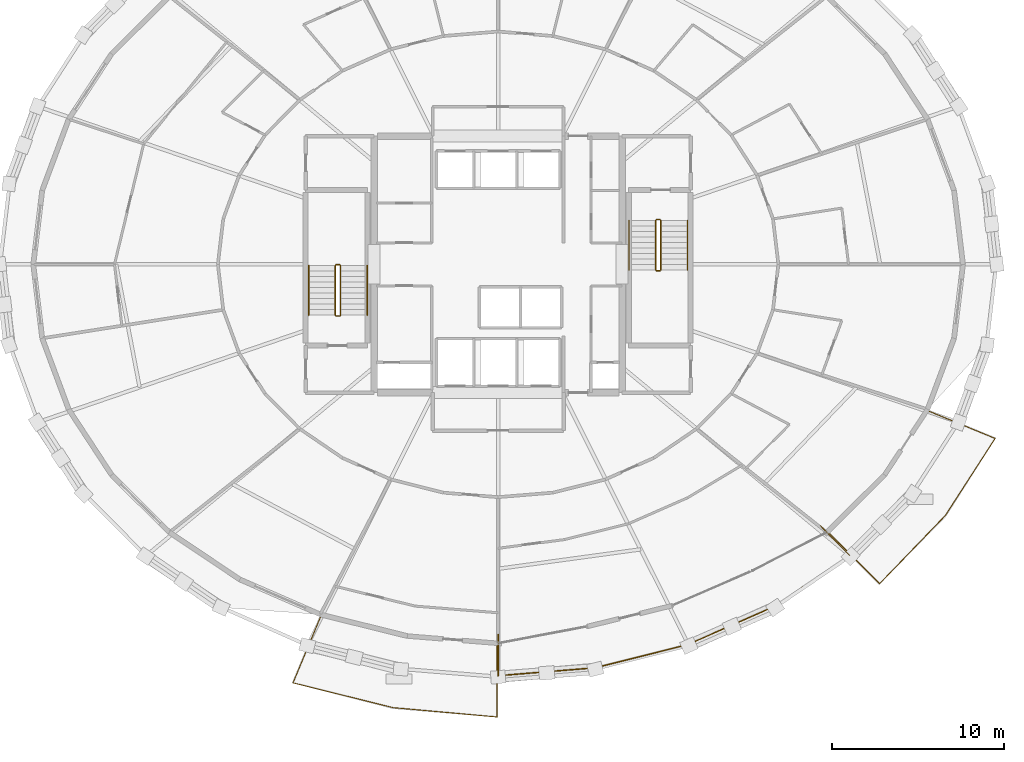
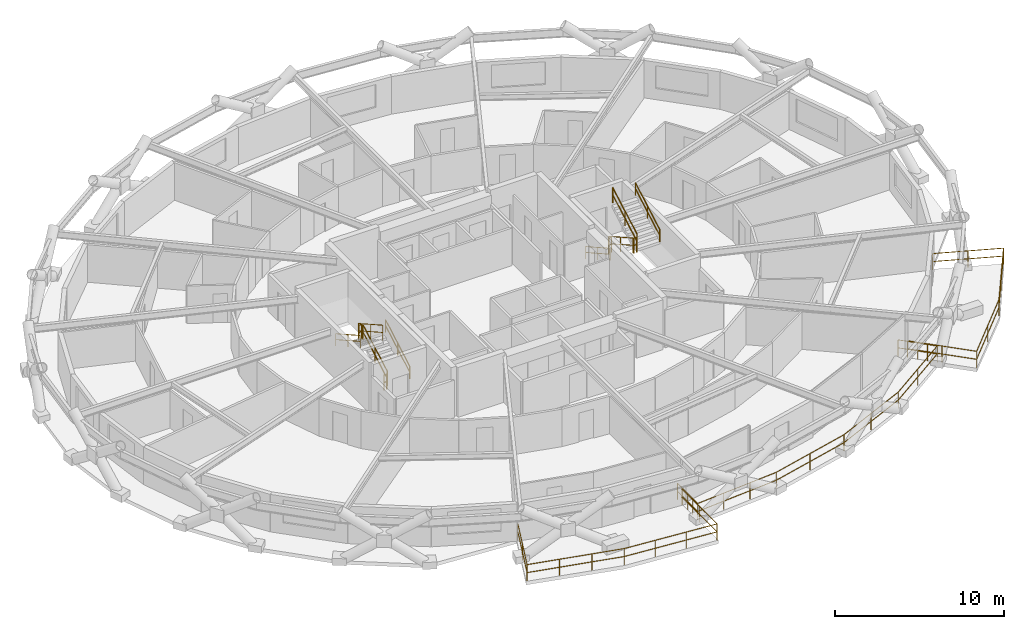
# One storey, part 14 of 14: 17 railings.
"""IFC4 building model written with IfcOpenShell, lengths in metres."""

from ifc_helpers import new_model, si_unit, direction, frame, origin, origin_2d, place, context, subcontext, project, spatial, circle, extrude, material, type_object, element, save


model = new_model("IFC4")

# Units and contexts
model_context = context("Model", 3, precision=1e-05, world=origin(), true_north=direction((0.0, 1.0)))
body_context = subcontext(model_context, "Body", "Model", "MODEL_VIEW")
ifc_project = project(units=[si_unit("LENGTHUNIT", "METRE"), si_unit("AREAUNIT", "SQUARE_METRE"), si_unit("VOLUMEUNIT", "CUBIC_METRE"), si_unit("PLANEANGLEUNIT", "RADIAN"), si_unit("MASSUNIT", "GRAM", prefix="KILO")], contexts=[model_context])

# Site, building, storey
site_placement = place(None, origin())
site = spatial("IfcSite", under=ifc_project, at=site_placement, CompositionType="ELEMENT")
building_placement = place(site_placement, origin())
building = spatial("IfcBuilding", under=site, at=building_placement, Name="Veldorina Hangang Commons", CompositionType="ELEMENT")
storey_placement = place(building_placement, frame((0.0, 0.0, 88.0)))
storey = spatial("IfcBuildingStorey", under=building, at=storey_placement, Name="L22", CompositionType="ELEMENT", Elevation=88.0)

# Railings
ifc_material_1 = material(Name="Glass Laminated Safety Balustrade", Category="glass")
railing_type_1 = type_object("IfcRailingType", Name="RL-BAL-LOGGIA", PredefinedType="BALUSTRADE", material=ifc_material_1)
railing_1_placement = place(storey_placement, frame((32.0, 2.513916015625, 0.0)))
element("IfcRailing", 1, at=railing_1_placement, inside=storey, type_object=railing_type_1, Name="L22 sky-garden loggia end balustrade A", PredefinedType="BALUSTRADE", context=body_context, shape_type="SweptSolid", body=[
    extrude(circle(Radius=0.02392578125, at=origin_2d()), frame((0.0, 0.0, 1.17578125), z_axis=(0.0, -1.0, 0.0), x_axis=(1.0, 0.0, 0.0)), (0.0, 0.0, 1.0), 2.400146484375),
    extrude(circle(Radius=0.02392578125, at=origin_2d()), frame((0.0, 0.0, 0.60009765625), z_axis=(0.0, -1.0, 0.0), x_axis=(1.0, 0.0, 0.0)), (0.0, 0.0, 1.0), 2.400146484375),
    extrude(circle(Radius=0.02099609375, at=origin_2d()), origin(), (0.0, 0.0, 1.0), 1.15185546875),
    extrude(circle(Radius=0.02099609375, at=origin_2d()), frame((0.0, -0.60009765625, 0.0)), (0.0, 0.0, 1.0), 1.15185546875),
    extrude(circle(Radius=0.02099609375, at=origin_2d()), frame((0.0, -1.2001953125, 0.0)), (0.0, 0.0, 1.0), 1.15185546875),
    extrude(circle(Radius=0.02099609375, at=origin_2d()), frame((0.0, -1.800048828125, 0.0)), (0.0, 0.0, 1.0), 1.15185546875),
    extrude(circle(Radius=0.02099609375, at=origin_2d()), frame((0.0, -2.400146484375, 0.0)), (0.0, 0.0, 1.0), 1.15185546875),
])
railing_2_placement = place(storey_placement, frame((50.72119140625, 8.81005859375, 0.0)))
element("IfcRailing", 2, at=railing_2_placement, inside=storey, type_object=railing_type_1, Name="L22 sky-garden loggia end balustrade B", PredefinedType="BALUSTRADE", context=body_context, shape_type="SweptSolid", body=[
    extrude(circle(Radius=0.02392578125, at=origin_2d()), frame((0.0, 0.0, 1.17578125), z_axis=(0.703640633687, -0.71055602075, 0.0), x_axis=(0.71055602075, 0.703640633687, 0.0)), (0.0, 0.0, 1.0), 2.400634765625),
    extrude(circle(Radius=0.02392578125, at=origin_2d()), frame((0.0, 0.0, 0.60009765625), z_axis=(0.703640633687, -0.71055602075, 0.0), x_axis=(0.71055602075, 0.703640633687, 0.0)), (0.0, 0.0, 1.0), 2.400634765625),
    extrude(circle(Radius=0.02099609375, at=origin_2d()), origin(), (0.0, 0.0, 1.0), 1.15185546875),
    extrude(circle(Radius=0.02099609375, at=origin_2d()), frame((0.42236328125, -0.426513671875, 0.0)), (0.0, 0.0, 1.0), 1.15185546875),
    extrude(circle(Radius=0.02099609375, at=origin_2d()), frame((0.8447265625, -0.85302734375, 0.0)), (0.0, 0.0, 1.0), 1.15185546875),
    extrude(circle(Radius=0.02099609375, at=origin_2d()), frame((1.266845703125, -1.279296875, 0.0)), (0.0, 0.0, 1.0), 1.15185546875),
    extrude(circle(Radius=0.02099609375, at=origin_2d()), frame((1.689208984375, -1.705810546875, 0.0)), (0.0, 0.0, 1.0), 1.15185546875),
])
railing_3_placement = place(storey_placement, frame((32.0, 0.11376953125, 0.0)))
element("IfcRailing", 3, at=railing_3_placement, inside=storey, type_object=railing_type_1, Name="L22 sky-garden loggia outer balustrade", PredefinedType="BALUSTRADE", context=body_context, shape_type="SweptSolid", body=[
    extrude(circle(Radius=0.02392578125, at=origin_2d()), frame((0.0, 0.0, 1.17578125), z_axis=(0.996703117926, 0.081135040001, 0.0), x_axis=(-0.081135040001, 0.996703117926, 0.0)), (0.0, 0.0, 1.0), 5.64794921875),
    extrude(circle(Radius=0.02392578125, at=origin_2d()), frame((0.0, 0.0, 0.60009765625), z_axis=(0.996703117926, 0.081135040001, 0.0), x_axis=(-0.081135040001, 0.996703117926, 0.0)), (0.0, 0.0, 1.0), 5.64794921875),
    extrude(circle(Radius=0.02392578125, at=origin_2d()), frame((5.62939453125, 0.458251953125, 1.17578125), z_axis=(0.969967289701, 0.243235394031, 0.0), x_axis=(-0.243235394031, 0.969967289701, 0.0)), (0.0, 0.0, 1.0), 5.581787109375),
    extrude(circle(Radius=0.02392578125, at=origin_2d()), frame((5.62939453125, 0.458251953125, 0.60009765625), z_axis=(0.969967289701, 0.243235394031, 0.0), x_axis=(-0.243235394031, 0.969967289701, 0.0)), (0.0, 0.0, 1.0), 5.581787109375),
    extrude(circle(Radius=0.02392578125, at=origin_2d()), frame((11.04345703125, 1.81591796875, 1.17578125), z_axis=(0.914685834753, 0.404165589459, 0.0), x_axis=(-0.404165589459, 0.914685834753, 0.0)), (0.0, 0.0, 1.0), 5.45654296875),
    extrude(circle(Radius=0.02392578125, at=origin_2d()), frame((11.04345703125, 1.81591796875, 0.60009765625), z_axis=(0.914685834753, 0.404165589459, 0.0), x_axis=(-0.404165589459, 0.914685834753, 0.0)), (0.0, 0.0, 1.0), 5.45654296875),
    extrude(circle(Radius=0.02392578125, at=origin_2d()), frame((16.034423828125, 4.021240234375, 1.17578125), z_axis=(0.827491095768, 0.561478838804, 0.0), x_axis=(-0.561478838804, 0.827491095768, 0.0)), (0.0, 0.0, 1.0), 5.288330078125),
    extrude(circle(Radius=0.02392578125, at=origin_2d()), frame((16.034423828125, 4.021240234375, 0.60009765625), z_axis=(0.827491095768, 0.561478838804, 0.0), x_axis=(-0.561478838804, 0.827491095768, 0.0)), (0.0, 0.0, 1.0), 5.288330078125),
    extrude(circle(Radius=0.02099609375, at=origin_2d()), origin(), (0.0, 0.0, 1.0), 1.15185546875),
    extrude(circle(Radius=0.02099609375, at=origin_2d()), frame((1.87646484375, 0.15283203125, 0.0)), (0.0, 0.0, 1.0), 1.15185546875),
    extrude(circle(Radius=0.02099609375, at=origin_2d()), frame((3.7529296875, 0.305419921875, 0.0)), (0.0, 0.0, 1.0), 1.15185546875),
    extrude(circle(Radius=0.02099609375, at=origin_2d()), frame((5.62939453125, 0.458251953125, 0.0)), (0.0, 0.0, 1.0), 1.15185546875),
    extrude(circle(Radius=0.02099609375, at=origin_2d()), frame((8.33642578125, 1.13720703125, 0.0)), (0.0, 0.0, 1.0), 1.15185546875),
    extrude(circle(Radius=0.02099609375, at=origin_2d()), frame((11.04345703125, 1.81591796875, 0.0)), (0.0, 0.0, 1.0), 1.15185546875),
    extrude(circle(Radius=0.02099609375, at=origin_2d()), frame((13.5390625, 2.91845703125, 0.0)), (0.0, 0.0, 1.0), 1.15185546875),
    extrude(circle(Radius=0.02099609375, at=origin_2d()), frame((16.034423828125, 4.021240234375, 0.0)), (0.0, 0.0, 1.0), 1.15185546875),
    extrude(circle(Radius=0.02099609375, at=origin_2d()), frame((18.222412109375, 5.505859375, 0.0)), (0.0, 0.0, 1.0), 1.15185546875),
    extrude(circle(Radius=0.02099609375, at=origin_2d()), frame((20.410400390625, 6.990478515625, 0.0)), (0.0, 0.0, 1.0), 1.15185546875),
])
railing_4_placement = place(storey_placement, frame((21.721923828125, 3.6123046875, 0.0)))
element("IfcRailing", 4, at=railing_4_placement, inside=storey, type_object=railing_type_1, Name="L22 planted tree balcony 1 balustrade", PredefinedType="BALUSTRADE", context=body_context, shape_type="SweptSolid", body=[
    extrude(circle(Radius=0.02392578125, at=origin_2d()), frame((0.0, 0.0, 1.17578125), z_axis=(-0.384562251133, -0.923099060233, 0.0), x_axis=(0.923099060233, -0.384562251133, 0.0)), (0.0, 0.0, 1.0), 4.241455078125),
    extrude(circle(Radius=0.02392578125, at=origin_2d()), frame((0.0, 0.0, 0.60009765625), z_axis=(-0.384562251133, -0.923099060233, 0.0), x_axis=(0.923099060233, -0.384562251133, 0.0)), (0.0, 0.0, 1.0), 4.241455078125),
    extrude(circle(Radius=0.02392578125, at=origin_2d()), frame((-1.631103515625, -3.915283203125, 1.17578125), z_axis=(0.970733999562, -0.240157244519, 0.0), x_axis=(0.240157244519, 0.970733999562, 0.0)), (0.0, 0.0, 1.0), 5.99169921875),
    extrude(circle(Radius=0.02392578125, at=origin_2d()), frame((-1.631103515625, -3.915283203125, 0.60009765625), z_axis=(0.970733999562, -0.240157244519, 0.0), x_axis=(0.240157244519, 0.970733999562, 0.0)), (0.0, 0.0, 1.0), 5.99169921875),
    extrude(circle(Radius=0.02392578125, at=origin_2d()), frame((4.185302734375, -5.354248046875, 1.17578125), z_axis=(0.995985877601, -0.089510511225, 0.0), x_axis=(0.089510511225, 0.995985877601, 0.0)), (0.0, 0.0, 1.0), 6.05517578125),
    extrude(circle(Radius=0.02392578125, at=origin_2d()), frame((4.185302734375, -5.354248046875, 0.60009765625), z_axis=(0.995985877601, -0.089510511225, 0.0), x_axis=(0.089510511225, 0.995985877601, 0.0)), (0.0, 0.0, 1.0), 6.05517578125),
    extrude(circle(Radius=0.02392578125, at=origin_2d()), frame((10.216064453125, -5.896240234375, 1.17578125), z_axis=(-0.001439178752, 0.999998964382, 0.0), x_axis=(-0.999998964382, -0.001439178752, 0.0)), (0.0, 0.0, 1.0), 4.240966796875),
    extrude(circle(Radius=0.02392578125, at=origin_2d()), frame((10.216064453125, -5.896240234375, 0.60009765625), z_axis=(-0.001439178752, 0.999998964382, 0.0), x_axis=(-0.999998964382, -0.001439178752, 0.0)), (0.0, 0.0, 1.0), 4.240966796875),
    extrude(circle(Radius=0.02099609375, at=origin_2d()), origin(), (0.0, 0.0, 1.0), 1.15185546875),
    extrude(circle(Radius=0.02099609375, at=origin_2d()), frame((-0.8154296875, -1.95751953125, 0.0)), (0.0, 0.0, 1.0), 1.15185546875),
    extrude(circle(Radius=0.02099609375, at=origin_2d()), frame((-1.631103515625, -3.915283203125, 0.0)), (0.0, 0.0, 1.0), 1.15185546875),
    extrude(circle(Radius=0.02099609375, at=origin_2d()), frame((0.3076171875, -4.39501953125, 0.0)), (0.0, 0.0, 1.0), 1.15185546875),
    extrude(circle(Radius=0.02099609375, at=origin_2d()), frame((2.24658203125, -4.87451171875, 0.0)), (0.0, 0.0, 1.0), 1.15185546875),
    extrude(circle(Radius=0.02099609375, at=origin_2d()), frame((4.185302734375, -5.354248046875, 0.0)), (0.0, 0.0, 1.0), 1.15185546875),
    extrude(circle(Radius=0.02099609375, at=origin_2d()), frame((6.195556640625, -5.534912109375, 0.0)), (0.0, 0.0, 1.0), 1.15185546875),
    extrude(circle(Radius=0.02099609375, at=origin_2d()), frame((8.205810546875, -5.715576171875, 0.0)), (0.0, 0.0, 1.0), 1.15185546875),
    extrude(circle(Radius=0.02099609375, at=origin_2d()), frame((10.216064453125, -5.896240234375, 0.0)), (0.0, 0.0, 1.0), 1.15185546875),
    extrude(circle(Radius=0.02099609375, at=origin_2d()), frame((10.212890625, -3.77587890625, 0.0)), (0.0, 0.0, 1.0), 1.15185546875),
    extrude(circle(Radius=0.02099609375, at=origin_2d()), frame((10.2099609375, -1.6552734375, 0.0)), (0.0, 0.0, 1.0), 1.15185546875),
])
railing_5_placement = place(storey_placement, frame((51.163330078125, 8.455322265625, 0.0)))
element("IfcRailing", 5, at=railing_5_placement, inside=storey, type_object=railing_type_1, Name="L22 planted tree balcony 2 balustrade", PredefinedType="BALUSTRADE", context=body_context, shape_type="SweptSolid", body=[
    extrude(circle(Radius=0.02392578125, at=origin_2d()), frame((0.0, 0.0, 1.17578125), z_axis=(0.706558983066, -0.707654155254, 0.0), x_axis=(0.707654155254, 0.706558983066, 0.0)), (0.0, 0.0, 1.0), 4.235595703125),
    extrude(circle(Radius=0.02392578125, at=origin_2d()), frame((0.0, 0.0, 0.60009765625), z_axis=(0.706558983066, -0.707654155254, 0.0), x_axis=(0.707654155254, 0.706558983066, 0.0)), (0.0, 0.0, 1.0), 4.235595703125),
    extrude(circle(Radius=0.02392578125, at=origin_2d()), frame((2.99267578125, -2.997314453125, 1.17578125), z_axis=(0.693519610783, 0.720437748497, 0.0), x_axis=(-0.720437748497, 0.693519610783, 0.0)), (0.0, 0.0, 1.0), 5.496337890625),
    extrude(circle(Radius=0.02392578125, at=origin_2d()), frame((2.99267578125, -2.997314453125, 0.60009765625), z_axis=(0.693519610783, 0.720437748497, 0.0), x_axis=(-0.720437748497, 0.693519610783, 0.0)), (0.0, 0.0, 1.0), 5.496337890625),
    extrude(circle(Radius=0.02392578125, at=origin_2d()), frame((6.804443359375, 0.96240234375, 1.17578125), z_axis=(0.54291680706, 0.839786485133, 0.0), x_axis=(-0.839786485133, 0.54291680706, 0.0)), (0.0, 0.0, 1.0), 5.327392578125),
    extrude(circle(Radius=0.02392578125, at=origin_2d()), frame((6.804443359375, 0.96240234375, 0.60009765625), z_axis=(0.54291680706, 0.839786485133, 0.0), x_axis=(-0.839786485133, 0.54291680706, 0.0)), (0.0, 0.0, 1.0), 5.327392578125),
    extrude(circle(Radius=0.02392578125, at=origin_2d()), frame((9.69677734375, 5.436279296875, 1.17578125), z_axis=(-0.924914196007, 0.380175919839, 0.0), x_axis=(-0.380175919839, -0.924914196007, 0.0)), (0.0, 0.0, 1.0), 4.237060546875),
    extrude(circle(Radius=0.02392578125, at=origin_2d()), frame((9.69677734375, 5.436279296875, 0.60009765625), z_axis=(-0.924914196007, 0.380175919839, 0.0), x_axis=(-0.380175919839, -0.924914196007, 0.0)), (0.0, 0.0, 1.0), 4.237060546875),
    extrude(circle(Radius=0.02099609375, at=origin_2d()), origin(), (0.0, 0.0, 1.0), 1.15185546875),
    extrude(circle(Radius=0.02099609375, at=origin_2d()), frame((1.496337890625, -1.49853515625, 0.0)), (0.0, 0.0, 1.0), 1.15185546875),
    extrude(circle(Radius=0.02099609375, at=origin_2d()), frame((2.99267578125, -2.997314453125, 0.0)), (0.0, 0.0, 1.0), 1.15185546875),
    extrude(circle(Radius=0.02099609375, at=origin_2d()), frame((4.8984375, -1.017578125, 0.0)), (0.0, 0.0, 1.0), 1.15185546875),
    extrude(circle(Radius=0.02099609375, at=origin_2d()), frame((6.804443359375, 0.96240234375, 0.0)), (0.0, 0.0, 1.0), 1.15185546875),
    extrude(circle(Radius=0.02099609375, at=origin_2d()), frame((8.25048828125, 3.19921875, 0.0)), (0.0, 0.0, 1.0), 1.15185546875),
    extrude(circle(Radius=0.02099609375, at=origin_2d()), frame((9.69677734375, 5.436279296875, 0.0)), (0.0, 0.0, 1.0), 1.15185546875),
    extrude(circle(Radius=0.02099609375, at=origin_2d()), frame((7.7373046875, 6.24169921875, 0.0)), (0.0, 0.0, 1.0), 1.15185546875),
    extrude(circle(Radius=0.02099609375, at=origin_2d()), frame((5.77783203125, 7.047119140625, 0.0)), (0.0, 0.0, 1.0), 1.15185546875),
])
ifc_material_2 = material(Name="Steel Painted Balustrade", Category="steel")
railing_type_2 = type_object("IfcRailingType", Name="RL-GRD-STAIR", PredefinedType="GUARDRAIL", material=ifc_material_2)
railing_6_placement = place(storey_placement, frame((22.85009765625, 21.050048828125, 0.179931640625)))
element("IfcRailing", 6, at=railing_6_placement, inside=storey, type_object=railing_type_2, Name="L22 ST-1 stair guard 1", PredefinedType="GUARDRAIL", context=body_context, shape_type="SweptSolid", body=[
    extrude(circle(Radius=0.02392578125, at=origin_2d()), frame((0.0, 0.0, 1.076171875), z_axis=(0.0, 0.87155185771, 0.490303333991), x_axis=(-1.0, 0.0, 0.0)), (0.0, 0.0, 1.0), 3.30419921875),
    extrude(circle(Radius=0.02392578125, at=origin_2d()), frame((0.0, 0.0, 0.550048828125), z_axis=(0.0, 0.87155185771, 0.490303333991), x_axis=(-1.0, 0.0, 0.0)), (0.0, 0.0, 1.0), 3.30419921875),
    extrude(circle(Radius=0.02099609375, at=origin_2d()), origin(), (0.0, 0.0, 1.0), 1.052001953125),
    extrude(circle(Radius=0.02099609375, at=origin_2d()), frame((0.0, 1.43994140625, 0.81005859375)), (0.0, 0.0, 1.0), 1.052001953125),
    extrude(circle(Radius=0.02099609375, at=origin_2d()), frame((0.0, 2.8798828125, 1.6201171875)), (0.0, 0.0, 1.0), 1.052001953125),
])
railing_7_placement = place(storey_placement, frame((22.800048828125, 23.97998046875, 1.800048828125)))
element("IfcRailing", 7, at=railing_7_placement, inside=storey, type_object=railing_type_2, Name="L22 ST-1 stair guard 2", PredefinedType="GUARDRAIL", context=body_context, shape_type="SweptSolid", body=[
    extrude(circle(Radius=0.02392578125, at=origin_2d()), frame((0.0, 0.0, 1.076171875), z_axis=(-1.0, 0.0, 0.0), x_axis=(0.0, -1.0, 0.0)), (0.0, 0.0, 1.0), 0.199951171875),
    extrude(circle(Radius=0.02392578125, at=origin_2d()), frame((0.0, 0.0, 0.550048828125), z_axis=(-1.0, 0.0, 0.0), x_axis=(0.0, -1.0, 0.0)), (0.0, 0.0, 1.0), 0.199951171875),
    extrude(circle(Radius=0.02099609375, at=origin_2d()), origin(), (0.0, 0.0, 1.0), 1.052001953125),
    extrude(circle(Radius=0.02099609375, at=origin_2d()), frame((-0.199951171875, 0.0, 0.0)), (0.0, 0.0, 1.0), 1.052001953125),
])
railing_8_placement = place(storey_placement, frame((22.550048828125, 23.929931640625, 1.97998046875)))
element("IfcRailing", 8, at=railing_8_placement, inside=storey, type_object=railing_type_2, Name="L22 ST-1 stair guard 3", PredefinedType="GUARDRAIL", context=body_context, shape_type="SweptSolid", body=[
    extrude(circle(Radius=0.02392578125, at=origin_2d()), frame((0.0, 0.0, 1.076171875), z_axis=(0.0, -0.87155185771, 0.490303333991), x_axis=(1.0, 0.0, 0.0)), (0.0, 0.0, 1.0), 3.30419921875),
    extrude(circle(Radius=0.02392578125, at=origin_2d()), frame((0.0, 0.0, 0.550048828125), z_axis=(0.0, -0.87155185771, 0.490303333991), x_axis=(1.0, 0.0, 0.0)), (0.0, 0.0, 1.0), 3.30419921875),
    extrude(circle(Radius=0.02099609375, at=origin_2d()), origin(), (0.0, 0.0, 1.0), 1.052001953125),
    extrude(circle(Radius=0.02099609375, at=origin_2d()), frame((0.0, -1.43994140625, 0.81005859375)), (0.0, 0.0, 1.0), 1.052001953125),
    extrude(circle(Radius=0.02099609375, at=origin_2d()), frame((0.0, -2.8798828125, 1.6201171875)), (0.0, 0.0, 1.0), 1.052001953125),
])
railing_9_placement = place(storey_placement, frame((22.800048828125, 21.0, 0.0)))
element("IfcRailing", 9, at=railing_9_placement, inside=storey, type_object=railing_type_2, Name="L22 ST-1 stair guard 4", PredefinedType="GUARDRAIL", context=body_context, shape_type="SweptSolid", body=[
    extrude(circle(Radius=0.02392578125, at=origin_2d()), frame((0.0, 0.0, 1.076171875), z_axis=(-1.0, 0.0, 0.0), x_axis=(0.0, -1.0, 0.0)), (0.0, 0.0, 1.0), 0.199951171875),
    extrude(circle(Radius=0.02392578125, at=origin_2d()), frame((0.0, 0.0, 0.550048828125), z_axis=(-1.0, 0.0, 0.0), x_axis=(0.0, -1.0, 0.0)), (0.0, 0.0, 1.0), 0.199951171875),
    extrude(circle(Radius=0.02099609375, at=origin_2d()), origin(), (0.0, 0.0, 1.0), 1.052001953125),
    extrude(circle(Radius=0.02099609375, at=origin_2d()), frame((-0.199951171875, 0.0, 0.0)), (0.0, 0.0, 1.0), 1.052001953125),
])
railing_10_placement = place(storey_placement, frame((41.14990234375, 26.550048828125, 0.179931640625)))
element("IfcRailing", 10, at=railing_10_placement, inside=storey, type_object=railing_type_2, Name="L22 ST-2 stair guard 1", PredefinedType="GUARDRAIL", context=body_context, shape_type="SweptSolid", body=[
    extrude(circle(Radius=0.02392578125, at=origin_2d()), frame((0.0, 0.0, 1.076171875), z_axis=(0.0, -0.871569617843, 0.490271762652), x_axis=(1.0, 0.0, 0.0)), (0.0, 0.0, 1.0), 3.304443359375),
    extrude(circle(Radius=0.02392578125, at=origin_2d()), frame((0.0, 0.0, 0.550048828125), z_axis=(0.0, -0.871569617843, 0.490271762652), x_axis=(1.0, 0.0, 0.0)), (0.0, 0.0, 1.0), 3.304443359375),
    extrude(circle(Radius=0.02099609375, at=origin_2d()), origin(), (0.0, 0.0, 1.0), 1.052001953125),
    extrude(circle(Radius=0.02099609375, at=origin_2d()), frame((0.0, -1.43994140625, 0.81005859375)), (0.0, 0.0, 1.0), 1.052001953125),
    extrude(circle(Radius=0.02099609375, at=origin_2d()), frame((0.0, -2.880126953125, 1.6201171875)), (0.0, 0.0, 1.0), 1.052001953125),
])
railing_11_placement = place(storey_placement, frame((41.199951171875, 23.6201171875, 1.800048828125)))
element("IfcRailing", 11, at=railing_11_placement, inside=storey, type_object=railing_type_2, Name="L22 ST-2 stair guard 2", PredefinedType="GUARDRAIL", context=body_context, shape_type="SweptSolid", body=[
    extrude(circle(Radius=0.02392578125, at=origin_2d()), frame((0.0, 0.0, 1.076171875), z_axis=(1.0, 0.0, 0.0), x_axis=(0.0, 1.0, 0.0)), (0.0, 0.0, 1.0), 0.199951171875),
    extrude(circle(Radius=0.02392578125, at=origin_2d()), frame((0.0, 0.0, 0.550048828125), z_axis=(1.0, 0.0, 0.0), x_axis=(0.0, 1.0, 0.0)), (0.0, 0.0, 1.0), 0.199951171875),
    extrude(circle(Radius=0.02099609375, at=origin_2d()), origin(), (0.0, 0.0, 1.0), 1.052001953125),
    extrude(circle(Radius=0.02099609375, at=origin_2d()), frame((0.199951171875, 0.0, 0.0)), (0.0, 0.0, 1.0), 1.052001953125),
])
railing_12_placement = place(storey_placement, frame((41.449951171875, 23.669921875, 1.97998046875)))
element("IfcRailing", 12, at=railing_12_placement, inside=storey, type_object=railing_type_2, Name="L22 ST-2 stair guard 3", PredefinedType="GUARDRAIL", context=body_context, shape_type="SweptSolid", body=[
    extrude(circle(Radius=0.02392578125, at=origin_2d()), frame((0.0, 0.0, 1.076171875), z_axis=(0.0, 0.871569617843, 0.490271762652), x_axis=(-1.0, 0.0, 0.0)), (0.0, 0.0, 1.0), 3.304443359375),
    extrude(circle(Radius=0.02392578125, at=origin_2d()), frame((0.0, 0.0, 0.550048828125), z_axis=(0.0, 0.871569617843, 0.490271762652), x_axis=(-1.0, 0.0, 0.0)), (0.0, 0.0, 1.0), 3.304443359375),
    extrude(circle(Radius=0.02099609375, at=origin_2d()), origin(), (0.0, 0.0, 1.0), 1.052001953125),
    extrude(circle(Radius=0.02099609375, at=origin_2d()), frame((0.0, 1.43994140625, 0.81005859375)), (0.0, 0.0, 1.0), 1.052001953125),
    extrude(circle(Radius=0.02099609375, at=origin_2d()), frame((0.0, 2.880126953125, 1.6201171875)), (0.0, 0.0, 1.0), 1.052001953125),
])
railing_13_placement = place(storey_placement, frame((41.199951171875, 26.60009765625, 0.0)))
element("IfcRailing", 13, at=railing_13_placement, inside=storey, type_object=railing_type_2, Name="L22 ST-2 stair guard 4", PredefinedType="GUARDRAIL", context=body_context, shape_type="SweptSolid", body=[
    extrude(circle(Radius=0.02392578125, at=origin_2d()), frame((0.0, 0.0, 1.076171875), z_axis=(1.0, 0.0, 0.0), x_axis=(0.0, 1.0, 0.0)), (0.0, 0.0, 1.0), 0.199951171875),
    extrude(circle(Radius=0.02392578125, at=origin_2d()), frame((0.0, 0.0, 0.550048828125), z_axis=(1.0, 0.0, 0.0), x_axis=(0.0, 1.0, 0.0)), (0.0, 0.0, 1.0), 0.199951171875),
    extrude(circle(Radius=0.02099609375, at=origin_2d()), origin(), (0.0, 0.0, 1.0), 1.052001953125),
    extrude(circle(Radius=0.02099609375, at=origin_2d()), frame((0.199951171875, 0.0, 0.0)), (0.0, 0.0, 1.0), 1.052001953125),
])
ifc_material_3 = material(Name="Stainless Steel Brushed 316", Category="steel")
railing_type_3 = type_object("IfcRailingType", Name="RL-HND-STAIR", PredefinedType="HANDRAIL", material=ifc_material_3)
railing_14_placement = place(storey_placement, frame((24.39990234375, 21.050048828125, 0.179931640625)))
element("IfcRailing", 14, at=railing_14_placement, inside=storey, type_object=railing_type_3, Name="L22 ST-1 stair handrail 1", PredefinedType="HANDRAIL", context=body_context, shape_type="SweptSolid", body=[
    extrude(circle(Radius=0.02392578125, at=origin_2d()), frame((0.0, 0.0, 0.8759765625), z_axis=(0.0, 0.87155185771, 0.490303333991), x_axis=(-1.0, 0.0, 0.0)), (0.0, 0.0, 1.0), 3.30419921875),
    extrude(circle(Radius=0.02392578125, at=origin_2d()), frame((0.0, 0.0, 0.449951171875), z_axis=(0.0, 0.87155185771, 0.490303333991), x_axis=(-1.0, 0.0, 0.0)), (0.0, 0.0, 1.0), 3.30419921875),
    extrude(circle(Radius=0.02099609375, at=origin_2d()), origin(), (0.0, 0.0, 1.0), 0.851806640625),
    extrude(circle(Radius=0.02099609375, at=origin_2d()), frame((0.0, 1.43994140625, 0.81005859375)), (0.0, 0.0, 1.0), 0.851806640625),
    extrude(circle(Radius=0.02099609375, at=origin_2d()), frame((0.0, 2.8798828125, 1.6201171875)), (0.0, 0.0, 1.0), 0.851806640625),
])
railing_15_placement = place(storey_placement, frame((21.0, 23.929931640625, 1.97998046875)))
element("IfcRailing", 15, at=railing_15_placement, inside=storey, type_object=railing_type_3, Name="L22 ST-1 stair handrail 2", PredefinedType="HANDRAIL", context=body_context, shape_type="SweptSolid", body=[
    extrude(circle(Radius=0.02392578125, at=origin_2d()), frame((0.0, 0.0, 0.8759765625), z_axis=(0.0, -0.87155185771, 0.490303333991), x_axis=(1.0, 0.0, 0.0)), (0.0, 0.0, 1.0), 3.30419921875),
    extrude(circle(Radius=0.02392578125, at=origin_2d()), frame((0.0, 0.0, 0.449951171875), z_axis=(0.0, -0.87155185771, 0.490303333991), x_axis=(1.0, 0.0, 0.0)), (0.0, 0.0, 1.0), 3.30419921875),
    extrude(circle(Radius=0.02099609375, at=origin_2d()), origin(), (0.0, 0.0, 1.0), 0.851806640625),
    extrude(circle(Radius=0.02099609375, at=origin_2d()), frame((0.0, -1.43994140625, 0.81005859375)), (0.0, 0.0, 1.0), 0.851806640625),
    extrude(circle(Radius=0.02099609375, at=origin_2d()), frame((0.0, -2.8798828125, 1.6201171875)), (0.0, 0.0, 1.0), 0.851806640625),
])
railing_16_placement = place(storey_placement, frame((39.60009765625, 26.550048828125, 0.179931640625)))
element("IfcRailing", 16, at=railing_16_placement, inside=storey, type_object=railing_type_3, Name="L22 ST-2 stair handrail 1", PredefinedType="HANDRAIL", context=body_context, shape_type="SweptSolid", body=[
    extrude(circle(Radius=0.02392578125, at=origin_2d()), frame((0.0, 0.0, 0.8759765625), z_axis=(0.0, -0.871569617843, 0.490271762652), x_axis=(1.0, 0.0, 0.0)), (0.0, 0.0, 1.0), 3.304443359375),
    extrude(circle(Radius=0.02392578125, at=origin_2d()), frame((0.0, 0.0, 0.449951171875), z_axis=(0.0, -0.871569617843, 0.490271762652), x_axis=(1.0, 0.0, 0.0)), (0.0, 0.0, 1.0), 3.304443359375),
    extrude(circle(Radius=0.02099609375, at=origin_2d()), origin(), (0.0, 0.0, 1.0), 0.851806640625),
    extrude(circle(Radius=0.02099609375, at=origin_2d()), frame((0.0, -1.43994140625, 0.81005859375)), (0.0, 0.0, 1.0), 0.851806640625),
    extrude(circle(Radius=0.02099609375, at=origin_2d()), frame((0.0, -2.880126953125, 1.6201171875)), (0.0, 0.0, 1.0), 0.851806640625),
])
railing_17_placement = place(storey_placement, frame((43.0, 23.669921875, 1.97998046875)))
element("IfcRailing", 17, at=railing_17_placement, inside=storey, type_object=railing_type_3, Name="L22 ST-2 stair handrail 2", PredefinedType="HANDRAIL", context=body_context, shape_type="SweptSolid", body=[
    extrude(circle(Radius=0.02392578125, at=origin_2d()), frame((0.0, 0.0, 0.8759765625), z_axis=(0.0, 0.871569617843, 0.490271762652), x_axis=(-1.0, 0.0, 0.0)), (0.0, 0.0, 1.0), 3.304443359375),
    extrude(circle(Radius=0.02392578125, at=origin_2d()), frame((0.0, 0.0, 0.449951171875), z_axis=(0.0, 0.871569617843, 0.490271762652), x_axis=(-1.0, 0.0, 0.0)), (0.0, 0.0, 1.0), 3.304443359375),
    extrude(circle(Radius=0.02099609375, at=origin_2d()), origin(), (0.0, 0.0, 1.0), 0.851806640625),
    extrude(circle(Radius=0.02099609375, at=origin_2d()), frame((0.0, 1.43994140625, 0.81005859375)), (0.0, 0.0, 1.0), 0.851806640625),
    extrude(circle(Radius=0.02099609375, at=origin_2d()), frame((0.0, 2.880126953125, 1.6201171875)), (0.0, 0.0, 1.0), 0.851806640625),
])

save(model, "model.ifc")
